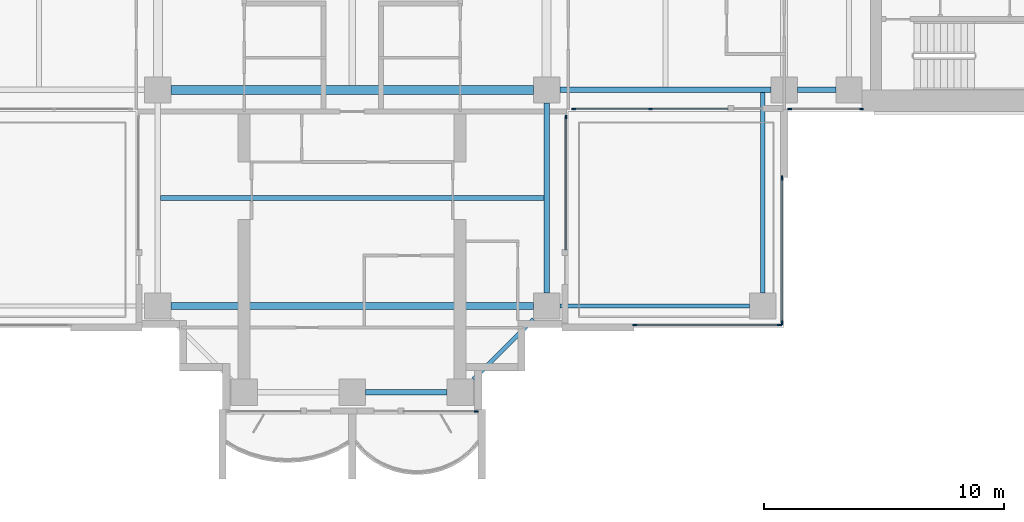
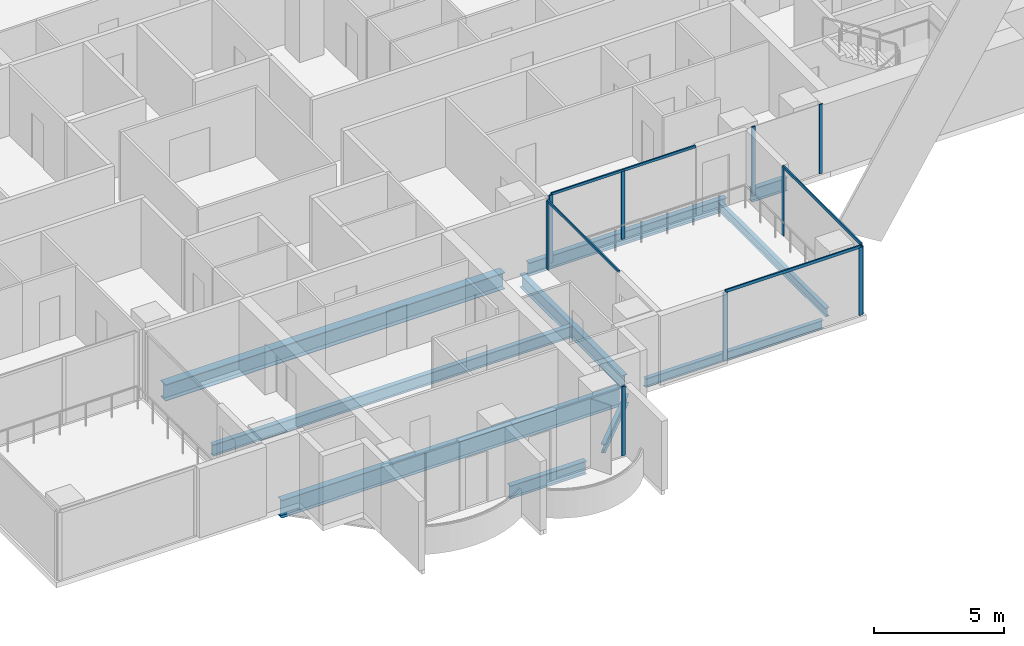
# One storey, part 3 of 19: 14 members, 10 beams, 6 elements without a shape of their own.
"""IFC4 building model written with IfcOpenShell, lengths in metres."""

from ifc_helpers import new_model, si_unit, direction, frame, origin, origin_2d, place, context, subcontext, project, spatial, rectangle, i_section, extrude, material, material_profile, profile_set, type_object, element, aggregate, save


model = new_model("IFC4")

# Units and contexts
model_context = context("Model", 3, precision=1e-05, world=origin(), true_north=direction((0.0, 1.0)))
body_context = subcontext(model_context, "Body", "Model", "MODEL_VIEW")
ifc_project = project(units=[si_unit("LENGTHUNIT", "METRE"), si_unit("AREAUNIT", "SQUARE_METRE"), si_unit("VOLUMEUNIT", "CUBIC_METRE"), si_unit("PLANEANGLEUNIT", "RADIAN"), si_unit("MASSUNIT", "GRAM", prefix="KILO")], contexts=[model_context])

# Site, building, storey
site_placement = place(None, origin())
site = spatial("IfcSite", under=ifc_project, at=site_placement, CompositionType="ELEMENT")
building_placement = place(site_placement, origin())
building = spatial("IfcBuilding", under=site, at=building_placement, Name="Perihelion Cross Residences", CompositionType="ELEMENT")
storey_placement = place(building_placement, frame((0.0, 0.0, 147.89990234375)))
storey = spatial("IfcBuildingStorey", under=building, at=storey_placement, Name="L36", CompositionType="ELEMENT", Elevation=147.89990234375)

# Curtain wall, member
ifc_material_1 = material(Name="Bronze anodised aluminium, tinted glazing", Category="aluminium")
curtain_wall_type_1 = type_object("IfcCurtainWallType", Name="CW1", PredefinedType="NOTDEFINED", material=ifc_material_1)
curtain_wall_1_placement = place(storey_placement, origin())
curtain_wall_1 = element("IfcCurtainWall", 1, at=curtain_wall_1_placement, inside=storey, type_object=curtain_wall_type_1, Name="Curtain wall CW1 L36 south tip south bay 2", PredefinedType="NOTDEFINED")
ifc_material_2 = material(Name="Bronze anodised aluminium", Category="aluminium")
ifc_material_profile_1 = material_profile(ifc_material_2, rectangle(XDim=0.06005859375, YDim=0.159912109375, at=origin_2d()), Name="CW1 mullion")
ifc_profile_set_1 = profile_set([ifc_material_profile_1], Name="Bronze anodised aluminium")
member_type_1 = type_object("IfcMemberType", Name="CW1 mullion", PredefinedType="MULLION", material=ifc_profile_set_1)
member_1_placement = place(storey_placement, frame((5.169921875, -21.5, 0.0), z_axis=(0.0, 0.0, 1.0), x_axis=(0.0, 1.0, 0.0)))
member_1 = element("IfcMember", 2, at=member_1_placement, type_object=member_type_1, Name="CW1 mullion 2", PredefinedType="MULLION", context=body_context, shape_type="SweptSolid", body=[
    extrude(rectangle(XDim=0.06005859375, YDim=0.159912109375, at=origin_2d()), origin(), (0.0, 0.0, 1.0), 3.25),
])
aggregate(curtain_wall_1, [member_1])

curtain_wall_2_placement = place(storey_placement, origin())
curtain_wall_2 = element("IfcCurtainWall", 3, at=curtain_wall_2_placement, inside=storey, type_object=curtain_wall_type_1, Name="Curtain wall CW1 L36 south side east bay 1", PredefinedType="NOTDEFINED")
member_2_placement = place(storey_placement, frame((8.89990234375, -9.22998046875, 0.0), z_axis=(0.0, 0.0, 1.0), x_axis=(-1.0, 0.0, 0.0)))
member_2 = element("IfcMember", 4, at=member_2_placement, type_object=member_type_1, Name="CW1 mullion 2", PredefinedType="MULLION", context=body_context, shape_type="SweptSolid", body=[
    extrude(rectangle(XDim=0.06005859375, YDim=0.159912109375, at=origin_2d()), origin(), (0.0, 0.0, 1.0), 3.190185546875),
])

# Curtain wall, members
curtain_wall_3_placement = place(storey_placement, origin())
curtain_wall_3 = element("IfcCurtainWall", 5, at=curtain_wall_3_placement, inside=storey, type_object=curtain_wall_type_1, Name="Curtain wall CW1 L36 east side south bay 1", PredefinedType="NOTDEFINED")
member_3_placement = place(storey_placement, frame((9.22998046875, -8.89990234375, 0.0), z_axis=(0.0, 0.0, 1.0), x_axis=(0.0, 1.0, 0.0)))
member_3 = element("IfcMember", 6, at=member_3_placement, type_object=member_type_1, Name="CW1 mullion 1", PredefinedType="MULLION", context=body_context, shape_type="SweptSolid", body=[
    extrude(rectangle(XDim=0.06005859375, YDim=0.159912109375, at=origin_2d()), origin(), (0.0, 0.0, 1.0), 3.190185546875),
])
member_4_placement = place(storey_placement, frame((12.425048828125, -8.89990234375, 0.0), z_axis=(0.0, 0.0, 1.0), x_axis=(0.0, 1.0, 0.0)))
member_4 = element("IfcMember", 7, at=member_4_placement, type_object=member_type_1, Name="CW1 mullion 2", PredefinedType="MULLION", context=body_context, shape_type="SweptSolid", body=[
    extrude(rectangle(XDim=0.06005859375, YDim=0.159912109375, at=origin_2d()), origin(), (0.0, 0.0, 1.0), 3.190185546875),
])

curtain_wall_4_placement = place(storey_placement, origin())
curtain_wall_4 = element("IfcCurtainWall", 8, at=curtain_wall_4_placement, inside=storey, type_object=curtain_wall_type_1, Name="Curtain wall CW1 L36 east side south bay 2", PredefinedType="NOTDEFINED")
member_5_placement = place(storey_placement, frame((18.22998046875, -8.89990234375, 0.0), z_axis=(0.0, 0.0, 1.0), x_axis=(0.0, 1.0, 0.0)))
member_5 = element("IfcMember", 9, at=member_5_placement, type_object=member_type_1, Name="CW1 mullion 1", PredefinedType="MULLION", context=body_context, shape_type="SweptSolid", body=[
    extrude(rectangle(XDim=0.06005859375, YDim=0.159912109375, at=origin_2d()), origin(), (0.0, 0.0, 1.0), 3.25),
])
member_6_placement = place(storey_placement, frame((21.219970703125, -8.89990234375, 0.0), z_axis=(0.0, 0.0, 1.0), x_axis=(0.0, 1.0, 0.0)))
member_6 = element("IfcMember", 10, at=member_6_placement, type_object=member_type_1, Name="CW1 mullion 2", PredefinedType="MULLION", context=body_context, shape_type="SweptSolid", body=[
    extrude(rectangle(XDim=0.06005859375, YDim=0.159912109375, at=origin_2d()), origin(), (0.0, 0.0, 1.0), 3.25),
])
aggregate(curtain_wall_4, [member_5, member_6])

# Member
ifc_material_3 = material(Name="Bronze anodised aluminium", Category="aluminium")
ifc_material_profile_2 = material_profile(ifc_material_3, rectangle(XDim=0.06005859375, YDim=0.1201171875, at=origin_2d()), Name="CW1 transom")
ifc_profile_set_2 = profile_set([ifc_material_profile_2], Name="Bronze anodised aluminium")
member_type_2 = type_object("IfcMemberType", Name="CW1 transom", PredefinedType="USERDEFINED", material=ifc_profile_set_2)
member_7_placement = place(storey_placement, frame((8.89990234375, -14.75, 3.22021484375), z_axis=(0.0, 1.0, 0.0), x_axis=(-1.0, 0.0, 0.0)))
member_7 = element("IfcMember", 11, at=member_7_placement, type_object=member_type_2, Name="CW1 head transom", ObjectType="TRANSOM", PredefinedType="USERDEFINED", context=body_context, shape_type="SweptSolid", body=[
    extrude(rectangle(XDim=0.06005859375, YDim=0.1201171875, at=origin_2d()), origin(), (0.0, 0.0, 1.0), 5.52001953125),
])

aggregate(curtain_wall_2, [member_2, member_7])

member_8_placement = place(storey_placement, frame((9.22998046875, -8.89990234375, 3.22021484375), z_axis=(1.0, 0.0, 0.0), x_axis=(0.0, 1.0, 0.0)))
member_8 = element("IfcMember", 12, at=member_8_placement, type_object=member_type_2, Name="CW1 head transom", ObjectType="TRANSOM", PredefinedType="USERDEFINED", context=body_context, shape_type="SweptSolid", body=[
    extrude(rectangle(XDim=0.06005859375, YDim=0.1201171875, at=origin_2d()), origin(), (0.0, 0.0, 1.0), 6.419921875),
])

aggregate(curtain_wall_3, [member_3, member_4, member_8])

# Curtain wall, members
ifc_material_4 = material(Name="Bronze anodised aluminium, tinted glazing", Category="aluminium")
curtain_wall_type_2 = type_object("IfcCurtainWallType", Name="CW4", PredefinedType="NOTDEFINED", material=ifc_material_4)
curtain_wall_5_placement = place(storey_placement, origin())
curtain_wall_5 = element("IfcCurtainWall", 13, at=curtain_wall_5_placement, inside=storey, type_object=curtain_wall_type_2, Name="Curtain wall CW4 L36 pocket south-east 1 1", PredefinedType="NOTDEFINED")
ifc_material_5 = material(Name="Bronze anodised aluminium", Category="aluminium")
ifc_material_profile_3 = material_profile(ifc_material_5, rectangle(XDim=0.06005859375, YDim=0.179931640625, at=origin_2d()), Name="CW4 mullion")
ifc_profile_set_3 = profile_set([ifc_material_profile_3], Name="Bronze anodised aluminium")
member_type_3 = type_object("IfcMemberType", Name="CW4 mullion", PredefinedType="MULLION", material=ifc_profile_set_3)
member_9_placement = place(storey_placement, frame((17.89990234375, -11.77001953125, 0.0), z_axis=(0.0, 0.0, 1.0), x_axis=(1.0, 0.0, 0.0)))
member_9 = element("IfcMember", 14, at=member_9_placement, type_object=member_type_3, Name="CW4 mullion 1", PredefinedType="MULLION", context=body_context, shape_type="SweptSolid", body=[
    extrude(rectangle(XDim=0.06005859375, YDim=0.179931640625, at=origin_2d()), origin(), (0.0, 0.0, 1.0), 3.190185546875),
])
member_10_placement = place(storey_placement, frame((17.89990234375, -17.800048828125, 0.0), z_axis=(0.0, 0.0, 1.0), x_axis=(1.0, 0.0, 0.0)))
member_10 = element("IfcMember", 15, at=member_10_placement, type_object=member_type_3, Name="CW4 mullion 2", PredefinedType="MULLION", context=body_context, shape_type="SweptSolid", body=[
    extrude(rectangle(XDim=0.06005859375, YDim=0.179931640625, at=origin_2d()), origin(), (0.0, 0.0, 1.0), 3.190185546875),
])

curtain_wall_6_placement = place(storey_placement, origin())
curtain_wall_6 = element("IfcCurtainWall", 16, at=curtain_wall_6_placement, inside=storey, type_object=curtain_wall_type_2, Name="Curtain wall CW4 L36 pocket south-east 1 2", PredefinedType="NOTDEFINED")
member_11_placement = place(storey_placement, frame((17.800048828125, -17.89990234375, 0.0), z_axis=(0.0, 0.0, 1.0), x_axis=(0.0, -1.0, 0.0)))
member_11 = element("IfcMember", 17, at=member_11_placement, type_object=member_type_3, Name="CW4 mullion 1", PredefinedType="MULLION", context=body_context, shape_type="SweptSolid", body=[
    extrude(rectangle(XDim=0.06005859375, YDim=0.179931640625, at=origin_2d()), origin(), (0.0, 0.0, 1.0), 3.190185546875),
])
member_12_placement = place(storey_placement, frame((11.77001953125, -17.89990234375, 0.0), z_axis=(0.0, 0.0, 1.0), x_axis=(0.0, -1.0, 0.0)))
member_12 = element("IfcMember", 18, at=member_12_placement, type_object=member_type_3, Name="CW4 mullion 2", PredefinedType="MULLION", context=body_context, shape_type="SweptSolid", body=[
    extrude(rectangle(XDim=0.06005859375, YDim=0.179931640625, at=origin_2d()), origin(), (0.0, 0.0, 1.0), 3.190185546875),
])

# Member
ifc_material_6 = material(Name="Bronze anodised aluminium", Category="aluminium")
ifc_material_profile_4 = material_profile(ifc_material_6, rectangle(XDim=0.06005859375, YDim=0.139892578125, at=origin_2d()), Name="CW4 transom")
ifc_profile_set_4 = profile_set([ifc_material_profile_4], Name="Bronze anodised aluminium")
member_type_4 = type_object("IfcMemberType", Name="CW4 transom", PredefinedType="USERDEFINED", material=ifc_profile_set_4)
member_13_placement = place(storey_placement, frame((17.89990234375, -11.77001953125, 3.22021484375), z_axis=(0.0, -1.0, 0.0), x_axis=(1.0, 0.0, 0.0)))
member_13 = element("IfcMember", 19, at=member_13_placement, type_object=member_type_4, Name="CW4 head transom", ObjectType="TRANSOM", PredefinedType="USERDEFINED", context=body_context, shape_type="SweptSolid", body=[
    extrude(rectangle(XDim=0.06005859375, YDim=0.139892578125, at=origin_2d()), origin(), (0.0, 0.0, 1.0), 6.030029296875),
])

aggregate(curtain_wall_5, [member_9, member_10, member_13])

member_14_placement = place(storey_placement, frame((17.800048828125, -17.89990234375, 3.22021484375), z_axis=(-1.0, 0.0, 0.0), x_axis=(0.0, -1.0, 0.0)))
member_14 = element("IfcMember", 20, at=member_14_placement, type_object=member_type_4, Name="CW4 head transom", ObjectType="TRANSOM", PredefinedType="USERDEFINED", context=body_context, shape_type="SweptSolid", body=[
    extrude(rectangle(XDim=0.06005859375, YDim=0.139892578125, at=origin_2d()), origin(), (0.0, 0.0, 1.0), 6.030029296875),
])

aggregate(curtain_wall_6, [member_11, member_12, member_14])

# Beams
ifc_material_7 = material(Name="Steel S355", Category="steel")
ifc_material_profile_5 = material_profile(ifc_material_7, i_section(OverallWidth=0.177978515625, OverallDepth=0.406005859375, WebThickness=0.0078125, FlangeThickness=0.0126953125, at=origin_2d()), Name="W410x60")
ifc_profile_set_5 = profile_set([ifc_material_profile_5], Name="Steel S355")
beam_type_1 = type_object("IfcBeamType", Name="Core edge beam W410x60", PredefinedType="BEAM", material=ifc_profile_set_5)
beam_1_placement = place(storey_placement, frame((17.10009765625, -8.214599609375, -0.452880859375), z_axis=(0.0, -1.0, 0.0), x_axis=(1.0, 0.0, 0.0)))
element("IfcBeam", 21, at=beam_1_placement, inside=storey, type_object=beam_type_1, Name="Core edge beam TB2 L36 corner no. 5", PredefinedType="BEAM", context=body_context, shape_type="SweptSolid", body=[
    extrude(i_section(OverallWidth=0.177978515625, OverallDepth=0.406005859375, WebThickness=0.0078125, FlangeThickness=0.0126953125, at=origin_2d()), origin(), (0.0, 0.0, 1.0), 8.33544921875),
])
beam_2_placement = place(storey_placement, frame((8.64990234375, -17.10009765625, -0.452880859375), z_axis=(1.0, 0.0, 0.0), x_axis=(0.0, 1.0, 0.0)))
element("IfcBeam", 22, at=beam_2_placement, inside=storey, type_object=beam_type_1, Name="Core edge beam TB2 L36 corner no. 6", PredefinedType="BEAM", context=body_context, shape_type="SweptSolid", body=[
    extrude(i_section(OverallWidth=0.177978515625, OverallDepth=0.406005859375, WebThickness=0.0078125, FlangeThickness=0.0126953125, at=origin_2d()), origin(), (0.0, 0.0, 1.0), 7.900146484375),
])
ifc_material_8 = material(Name="Steel S355", Category="steel")
ifc_material_profile_6 = material_profile(ifc_material_8, i_section(OverallWidth=0.22900390625, OverallDepth=0.612060546875, WebThickness=0.011962890625, FlangeThickness=0.01953125, at=origin_2d()), Name="W610x125")
ifc_profile_set_6 = profile_set([ifc_material_profile_6], Name="Steel S355")
beam_type_2 = type_object("IfcBeamType", Name="Edge beam W610x125", PredefinedType="SPANDREL", material=ifc_profile_set_6)
beam_3_placement = place(storey_placement, frame((0.550048828125, -20.699951171875, -0.555908203125), z_axis=(1.0, 0.0, 0.0), x_axis=(0.0, 1.0, 0.0)))
element("IfcBeam", 23, at=beam_3_placement, inside=storey, type_object=beam_type_2, Name="Edge beam SB3 L36 no. 9", PredefinedType="SPANDREL", context=body_context, shape_type="SweptSolid", body=[
    extrude(i_section(OverallWidth=0.22900390625, OverallDepth=0.612060546875, WebThickness=0.011962890625, FlangeThickness=0.01953125, at=origin_2d()), origin(), (0.0, 0.0, 1.0), 3.39990234375),
])
beam_4_placement = place(storey_placement, frame((8.10009765625, -16.550048828125, -0.555908203125), z_axis=(0.0, 1.0, 0.0), x_axis=(-1.0, 0.0, 0.0)))
element("IfcBeam", 24, at=beam_4_placement, inside=storey, type_object=beam_type_2, Name="Edge beam SB3 L36 no. 15", PredefinedType="SPANDREL", context=body_context, shape_type="SweptSolid", body=[
    extrude(i_section(OverallWidth=0.22900390625, OverallDepth=0.612060546875, WebThickness=0.011962890625, FlangeThickness=0.01953125, at=origin_2d()), origin(), (0.0, 0.0, 1.0), 7.900146484375),
])
beam_5_placement = place(storey_placement, frame((8.64990234375, -8.10009765625, -0.555908203125), z_axis=(1.0, 0.0, 0.0), x_axis=(0.0, 1.0, 0.0)))
element("IfcBeam", 25, at=beam_5_placement, inside=storey, type_object=beam_type_2, Name="Edge beam SB3 L36 no. 16", PredefinedType="SPANDREL", context=body_context, shape_type="SweptSolid", body=[
    extrude(i_section(OverallWidth=0.22900390625, OverallDepth=0.612060546875, WebThickness=0.011962890625, FlangeThickness=0.01953125, at=origin_2d()), origin(), (0.0, 0.0, 1.0), 8.800048828125),
])
beam_6_placement = place(storey_placement, frame((18.550048828125, -8.10009765625, -0.555908203125), z_axis=(1.0, 0.0, 0.0), x_axis=(0.0, 1.0, 0.0)))
element("IfcBeam", 26, at=beam_6_placement, inside=storey, type_object=beam_type_2, Name="Edge beam SB3 L36 no. 11", PredefinedType="SPANDREL", context=body_context, shape_type="SweptSolid", body=[
    extrude(i_section(OverallWidth=0.22900390625, OverallDepth=0.612060546875, WebThickness=0.011962890625, FlangeThickness=0.01953125, at=origin_2d()), origin(), (0.0, 0.0, 1.0), 1.599853515625),
])
ifc_material_9 = material(Name="Steel S355", Category="steel")
ifc_material_profile_7 = material_profile(ifc_material_9, i_section(OverallWidth=0.2919921875, OverallDepth=0.8359375, WebThickness=0.013916015625, FlangeThickness=0.018798828125, at=origin_2d()), Name="W840x176")
ifc_profile_set_7 = profile_set([ifc_material_profile_7], Name="Steel S355")
beam_type_3 = type_object("IfcBeamType", Name="Floor girder W840x176", PredefinedType="BEAM", material=ifc_profile_set_7)
beam_7_placement = place(storey_placement, frame((-7.550048828125, -17.10009765625, -0.66796875), z_axis=(1.0, 0.0, 0.0), x_axis=(0.0, 1.0, 0.0)))
element("IfcBeam", 27, at=beam_7_placement, inside=storey, type_object=beam_type_3, Name="Girder G3 L36 no. 3", PredefinedType="BEAM", context=body_context, shape_type="SweptSolid", body=[
    extrude(i_section(OverallWidth=0.2919921875, OverallDepth=0.8359375, WebThickness=0.013916015625, FlangeThickness=0.018798828125, at=origin_2d()), origin(), (0.0, 0.0, 1.0), 15.10009765625),
])
ifc_material_10 = material(Name="Steel S355", Category="steel")
ifc_material_profile_8 = material_profile(ifc_material_10, i_section(OverallWidth=0.208984375, OverallDepth=0.532958984375, WebThickness=0.01025390625, FlangeThickness=0.015625, at=origin_2d()), Name="W530x92")
ifc_profile_set_8 = profile_set([ifc_material_profile_8], Name="Steel S355")
beam_type_4 = type_object("IfcBeamType", Name="Floor joist W530x92", PredefinedType="JOIST", material=ifc_profile_set_8)
beam_8_placement = place(storey_placement, frame((-7.985595703125, -12.60009765625, -0.516357421875), z_axis=(1.0, 0.0, 0.0), x_axis=(0.0, 1.0, 0.0)))
element("IfcBeam", 28, at=beam_8_placement, inside=storey, type_object=beam_type_4, Name="Joist J4 L36 no. 3", PredefinedType="JOIST", context=body_context, shape_type="SweptSolid", body=[
    extrude(i_section(OverallWidth=0.208984375, OverallDepth=0.532958984375, WebThickness=0.01025390625, FlangeThickness=0.015625, at=origin_2d()), origin(), (0.0, 0.0, 1.0), 15.97119140625),
])
ifc_material_11 = material(Name="Steel S355", Category="steel")
ifc_material_profile_9 = material_profile(ifc_material_11, i_section(OverallWidth=0.381103515625, OverallDepth=0.77197265625, WebThickness=0.0166015625, FlangeThickness=0.027099609375, at=origin_2d()), Name="W760x257")
ifc_profile_set_9 = profile_set([ifc_material_profile_9], Name="Steel S355")
beam_type_5 = type_object("IfcBeamType", Name="Hub ring girder W760x257", PredefinedType="BEAM", material=ifc_profile_set_9)
beam_9_placement = place(storey_placement, frame((-7.550048828125, -8.10009765625, -0.635986328125), z_axis=(1.0, 0.0, 0.0), x_axis=(0.0, 1.0, 0.0)))
element("IfcBeam", 29, at=beam_9_placement, inside=storey, type_object=beam_type_5, Name="Hub ring girder RG3 L36 no. 1", PredefinedType="BEAM", context=body_context, shape_type="SweptSolid", body=[
    extrude(i_section(OverallWidth=0.381103515625, OverallDepth=0.77197265625, WebThickness=0.0166015625, FlangeThickness=0.027099609375, at=origin_2d()), origin(), (0.0, 0.0, 1.0), 15.10009765625),
])
ifc_material_12 = material(Name="Steel S355", Category="steel")
ifc_material_profile_10 = material_profile(ifc_material_12, i_section(OverallWidth=0.180908203125, OverallDepth=0.4169921875, WebThickness=0.010986328125, FlangeThickness=0.018310546875, at=origin_2d()), Name="W410x85")
ifc_profile_set_10 = profile_set([ifc_material_profile_10], Name="Steel S355")
beam_type_6 = type_object("IfcBeamType", Name="Serration edge beam W410x85", PredefinedType="BEAM", material=ifc_profile_set_10)
beam_10_placement = place(storey_placement, frame((5.050048828125, -20.14990234375, -0.45849609375), z_axis=(0.707106781187, 0.707106781187, 0.0), x_axis=(-0.707106781187, 0.707106781187, 0.0)))
element("IfcBeam", 30, at=beam_10_placement, inside=storey, type_object=beam_type_6, Name="Serration edge beam EB3 L36 no. 3", PredefinedType="BEAM", context=body_context, shape_type="SweptSolid", body=[
    extrude(i_section(OverallWidth=0.180908203125, OverallDepth=0.4169921875, WebThickness=0.010986328125, FlangeThickness=0.018310546875, at=origin_2d()), origin(), (0.0, 0.0, 1.0), 3.53564453125),
])

save(model, "model.ifc")
